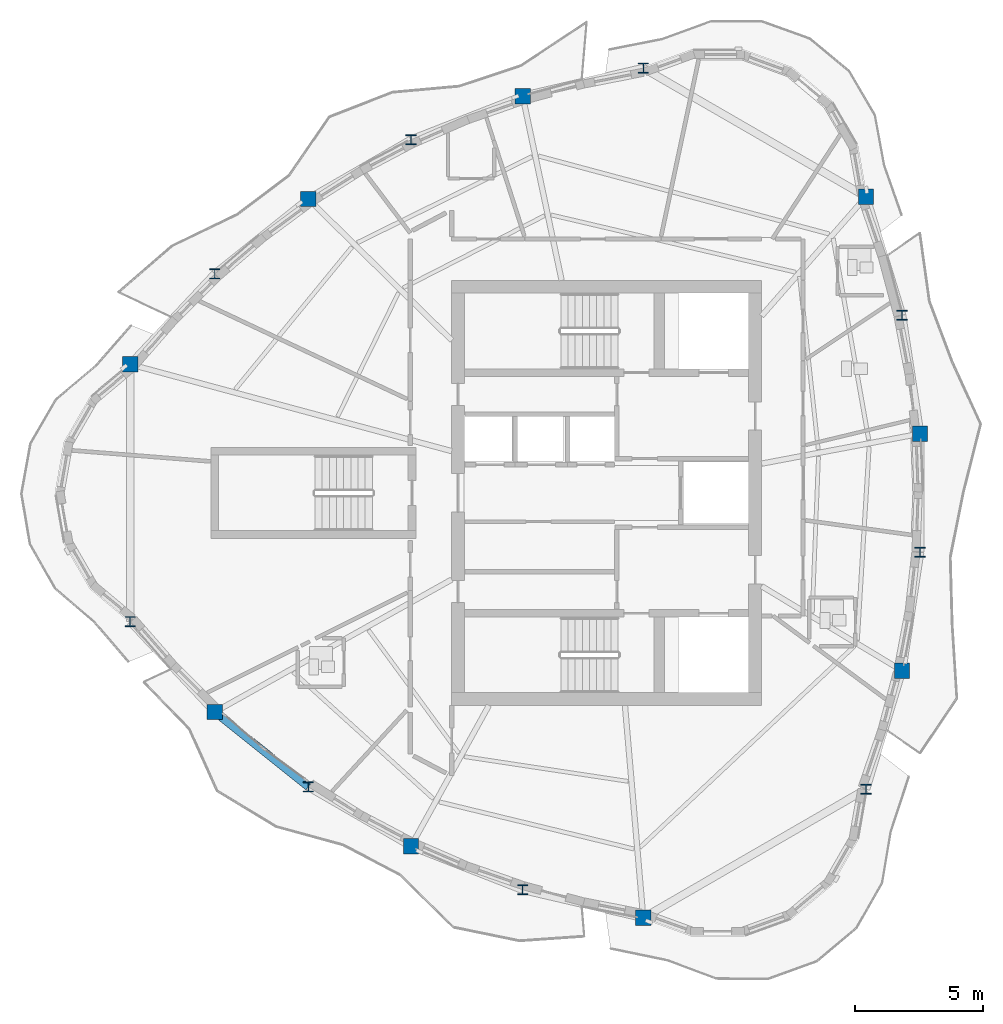
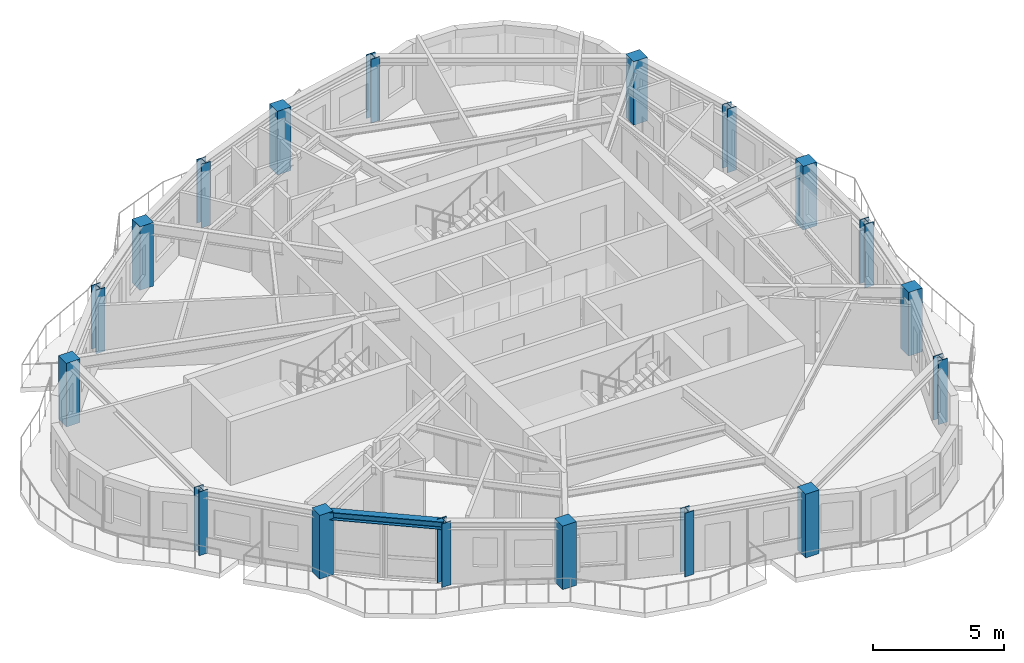
# One storey, part 1 of 13: 18 columns, 1 beam.
"""IFC4 building model written with IfcOpenShell, lengths in metres."""

import ifcopenshell
import ifcopenshell.guid

model = None  # the IFC model being written
_history = None  # IfcOwnerHistory: only IFC2X3 demands one
_inside = {}  # id of a spatial element -> (the spatial element, [elements in it])
_under = {}  # id of a project, library or spatial element -> (it, [spatial elements below it])
_declared = {}  # id of a project -> (the project, [libraries it declares])
_typed = {}  # id of a type object -> (the type object, [elements of that type])
_made_of = {}  # id of a material, layer set ... -> (it, [elements and type objects made of it])


def new_model(schema):
    """Start an empty IFC model of exactly this schema.

    Asked for "IFC4X3", IfcOpenShell would pick the latest addendum, in which some entities
    have other attributes; the version numbers below select the first issue.
    IFC2X3 requires an IfcOwnerHistory on every rooted entity: one is made here for all.
    """
    global model, _history
    if schema == "IFC4X3":
        model = ifcopenshell.file(schema_version=(4, 3, 0, 0))
    else:
        model = ifcopenshell.file(schema=schema)
    _inside.clear()
    _under.clear()
    _declared.clear()
    _typed.clear()
    _made_of.clear()
    _history = None
    if model.schema == "IFC2X3":
        org = make("IfcOrganization", Name="unknown")
        user = make(
            "IfcPersonAndOrganization",
            ThePerson=make("IfcPerson", FamilyName="unknown"),
            TheOrganization=org,
        )
        app = make(
            "IfcApplication",
            ApplicationDeveloper=org,
            Version="unknown",
            ApplicationFullName="unknown",
            ApplicationIdentifier="unknown",
        )
        _history = make(
            "IfcOwnerHistory",
            OwningUser=user,
            OwningApplication=app,
            ChangeAction="ADDED",
            CreationDate=0,
        )
    return model


def make(cls, **values):
    """One entity of the class cls with the attributes given. An attribute that is None is left unset."""
    return model.create_entity(
        cls, **{name: value for name, value in values.items() if value is not None}
    )


def rooted(cls, **values):
    """An entity with a GlobalId (a new one), such as an element, a storey or a relation."""
    return make(cls, GlobalId=ifcopenshell.guid.new(), OwnerHistory=_history, **values)


def si_unit(unit_type, name, prefix=None):
    """IfcSIUnit, for example si_unit("LENGTHUNIT", "METRE", prefix="MILLI")."""
    return make("IfcSIUnit", UnitType=unit_type, Prefix=prefix, Name=name)


def assignment(units):
    """IfcUnitAssignment: the units of a project."""
    return None if units is None else make("IfcUnitAssignment", Units=units)


def point(xyz):
    """IfcCartesianPoint."""
    return None if xyz is None else make("IfcCartesianPoint", Coordinates=xyz)


def direction(xyz):
    """IfcDirection."""
    return None if xyz is None else make("IfcDirection", DirectionRatios=xyz)


def frame(location, z_axis=None, x_axis=None):
    """IfcAxis2Placement3D, a coordinate frame: its origin and axes. An axis left out is left unset."""
    return make(
        "IfcAxis2Placement3D",
        Location=point(location),
        Axis=direction(z_axis),
        RefDirection=direction(x_axis),
    )


def frame_2d(location, x_axis=None):
    """IfcAxis2Placement2D, a coordinate frame in the plane: its origin and x axis."""
    return make(
        "IfcAxis2Placement2D", Location=point(location), RefDirection=direction(x_axis)
    )


def origin():
    """The frame at (0, 0, 0) with its axes left unset."""
    return frame((0.0, 0.0, 0.0))


def origin_2d():
    """The frame at (0, 0) in the plane with its x axis left unset."""
    return frame_2d((0.0, 0.0))


def place(relative_to, where):
    """IfcLocalPlacement: puts the frame where relative to a parent placement (None: the world)."""
    return make(
        "IfcLocalPlacement", PlacementRelTo=relative_to, RelativePlacement=where
    )


def context(
    kind, dimensions, precision=None, world=None, true_north=None, identifier=None
):
    """IfcGeometricRepresentationContext, for example the 3D "Model" context."""
    return make(
        "IfcGeometricRepresentationContext",
        ContextIdentifier=identifier,
        ContextType=kind,
        CoordinateSpaceDimension=dimensions,
        Precision=precision,
        WorldCoordinateSystem=world,
        TrueNorth=true_north,
    )


def subcontext(parent, identifier, kind, view, scale=None):
    """IfcGeometricRepresentationSubContext, for example "Body" below "Model"."""
    return make(
        "IfcGeometricRepresentationSubContext",
        ContextIdentifier=identifier,
        ContextType=kind,
        ParentContext=parent,
        TargetScale=scale,
        TargetView=view,
    )


def project(units=None, contexts=None):
    """IfcProject with its units and contexts."""
    return rooted(
        "IfcProject",
        Name="project",
        RepresentationContexts=contexts,
        UnitsInContext=assignment(units),
    )


def spatial(cls, under=None, at=None, **own):
    """A site, building, storey or space (cls), placed at a placement, below another one or the project."""
    s = rooted(cls, ObjectPlacement=at, **own)
    if under is not None:
        _under.setdefault(under.id(), (under, []))[1].append(s)
    return s


def profile(cls, at=None, kind="AREA", **sizes):
    """A parametric profile (cls). Its sizes go by their IFC names, for example OverallWidth=200.0."""
    return make(cls, ProfileType=kind, Position=at, **sizes)


def rectangle(**sizes):
    """IfcRectangleProfileDef."""
    return profile("IfcRectangleProfileDef", **sizes)


def i_section(**sizes):
    """IfcIShapeProfileDef."""
    return profile("IfcIShapeProfileDef", **sizes)


def extrude(swept, where, along, depth):
    """IfcExtrudedAreaSolid: the profile swept, set in the frame where, extruded along a direction by depth."""
    return make(
        "IfcExtrudedAreaSolid",
        SweptArea=swept,
        Position=where,
        ExtrudedDirection=direction(along),
        Depth=depth,
    )


def shape(context_of_items, identifier, shape_type, items):
    """IfcShapeRepresentation: the items that make up one representation, for example the "Body"."""
    return make(
        "IfcShapeRepresentation",
        ContextOfItems=context_of_items,
        RepresentationIdentifier=identifier,
        RepresentationType=shape_type,
        Items=items,
    )


def source(mapping_origin, context_of_items, identifier, shape_type, items):
    """IfcRepresentationMap: a shape defined once, which mapped items show again and again."""
    return make(
        "IfcRepresentationMap",
        MappingOrigin=mapping_origin,
        MappedRepresentation=shape(context_of_items, identifier, shape_type, items),
    )


def transform(
    local_origin,
    x_axis=None,
    y_axis=None,
    z_axis=None,
    scale=None,
    scale2=None,
    scale3=None,
    uniform=True,
):
    """IfcCartesianTransformationOperator3D, or its non-uniform kind. x_axis, y_axis, z_axis: its Axis1, 2, 3."""
    if uniform:
        return make(
            "IfcCartesianTransformationOperator3D",
            Axis1=direction(x_axis),
            Axis2=direction(y_axis),
            LocalOrigin=point(local_origin),
            Scale=scale,
            Axis3=direction(z_axis),
        )
    return make(
        "IfcCartesianTransformationOperator3DnonUniform",
        Axis1=direction(x_axis),
        Axis2=direction(y_axis),
        LocalOrigin=point(local_origin),
        Scale=scale,
        Axis3=direction(z_axis),
        Scale2=scale2,
        Scale3=scale3,
    )


def mapped(mapping_source, mapping_target):
    """IfcMappedItem: shows the shape of a source again, moved by a transform."""
    return make(
        "IfcMappedItem", MappingSource=mapping_source, MappingTarget=mapping_target
    )


def material(Name=None, Category=None):
    """IfcMaterial."""
    return make("IfcMaterial", Name=Name, Category=Category)


def material_profile(
    of_material, cross_section, Name=None, Category=None, Priority=None
):
    """IfcMaterialProfile: a cross section and its material."""
    return make(
        "IfcMaterialProfile",
        Name=Name,
        Material=of_material,
        Profile=cross_section,
        Priority=Priority,
        Category=Category,
    )


def profile_set(profiles, Name=None, composite=None):
    """IfcMaterialProfileSet."""
    return make(
        "IfcMaterialProfileSet",
        Name=Name,
        MaterialProfiles=profiles,
        CompositeProfile=composite,
    )


def made_of(thing, what):
    """Note that an element or type object is made of a material, layer set ...; save() writes the relation."""
    if what is not None:
        _made_of.setdefault(what.id(), (what, []))[1].append(thing)
    return thing


def type_object(cls, material=None, **own):
    """A type object (cls), such as IfcWallType, which elements share."""
    return made_of(rooted(cls, **own), material)


def element(
    cls,
    number,
    at=None,
    inside=None,
    cuts=None,
    type_object=None,
    material=None,
    context=None,
    identifier="Body",
    shape_type=None,
    held_by="IfcProductDefinitionShape",
    body=None,
    shapes=None,
    **own,
):
    """One element of the class cls, such as IfcWall. Its Tag is "e" and its number.

    at: its placement. inside: the storey or other place that contains it. cuts: it is an
    opening in that element (IfcRelVoidsElement). A single representation is given by context,
    identifier, shape_type and body (its items); several are given by shapes. held_by: the class
    of the entity that holds the representations. save() writes the other relations.
    """
    e = rooted(cls, Tag="e%d" % number, ObjectPlacement=at, **own)
    if body is not None:
        shapes = [shape(context, identifier, shape_type, body)]
    if shapes is not None:
        e.Representation = make(held_by, Representations=shapes)
    if inside is not None:
        _inside.setdefault(inside.id(), (inside, []))[1].append(e)
    if cuts is not None:
        rooted(
            "IfcRelVoidsElement", RelatingBuildingElement=cuts, RelatedOpeningElement=e
        )
    if type_object is not None:
        _typed.setdefault(type_object.id(), (type_object, []))[1].append(e)
    return made_of(e, material)


def aggregate(whole, parts):
    """IfcRelAggregates: a whole, such as a stair, and the parts it consists of."""
    return rooted("IfcRelAggregates", RelatingObject=whole, RelatedObjects=parts)


def save(model, path):
    """Write the relations noted so far, then the file.

    IfcRelAggregates (storeys below a building ...), IfcRelContainedInSpatialStructure (elements
    in a storey), IfcRelDefinesByType, IfcRelAssociatesMaterial and IfcRelDeclares: one each for
    every whole, place, type object, material and project.
    """
    for whole, parts in _under.values():
        aggregate(whole, parts)
    for where, things in _inside.values():
        rooted(
            "IfcRelContainedInSpatialStructure",
            RelatedElements=things,
            RelatingStructure=where,
        )
    for kind, things in _typed.values():
        rooted("IfcRelDefinesByType", RelatedObjects=things, RelatingType=kind)
    for what, things in _made_of.values():
        rooted("IfcRelAssociatesMaterial", RelatedObjects=things, RelatingMaterial=what)
    for by, libraries in _declared.values():
        rooted("IfcRelDeclares", RelatingContext=by, RelatedDefinitions=libraries)
    model.write(path)


model = new_model("IFC4")

# Units and contexts
model_context = context("Model", 3, precision=1e-05, world=origin(), true_north=direction((0.0, 1.0)))
body_context = subcontext(model_context, "Body", "Model", "MODEL_VIEW")
ifc_project = project(units=[si_unit("LENGTHUNIT", "METRE"), si_unit("AREAUNIT", "SQUARE_METRE"), si_unit("VOLUMEUNIT", "CUBIC_METRE"), si_unit("PLANEANGLEUNIT", "RADIAN"), si_unit("MASSUNIT", "GRAM", prefix="KILO")], contexts=[model_context])

# Site, building, storey
site_placement = place(None, origin())
site = spatial("IfcSite", under=ifc_project, at=site_placement, CompositionType="ELEMENT")
building_placement = place(site_placement, origin())
building = spatial("IfcBuilding", under=site, at=building_placement, Name="Qafzar Sky-Pleat Residences", CompositionType="ELEMENT")
storey_placement = place(building_placement, frame((0.0, 0.0, 195.60009765625)))
storey = spatial("IfcBuildingStorey", under=building, at=storey_placement, Name="L58", CompositionType="ELEMENT", Elevation=195.60009765625)

# Columns
ifc_material_1 = material(Name="Concrete C50/60", Category="concrete")
ifc_material_profile_1 = material_profile(ifc_material_1, rectangle(XDim=0.60009765625, YDim=0.60009765625, at=origin_2d()), Name="RC 600x600")
ifc_profile_set_1 = profile_set([ifc_material_profile_1], Name="Concrete C50/60")
column_type_1 = type_object("IfcColumnType", Name="COL-RC-600", PredefinedType="COLUMN", material=ifc_profile_set_1)
shared_shape_1 = source(origin(), body_context, "Body", "SweptSolid", [
    extrude(rectangle(XDim=0.60009765625, YDim=0.60009765625, at=origin_2d()), origin(), (0.0, 0.0, 1.0), 2.9599609375),
])
for number, where, z_axis, x_axis, name in (
    (1, (11.739990234375, 31.02294921875, 0.0), (0.0, 0.0, 1.0), (1.0, 0.0, 0.0), "L58 Perimeter Mega Column 1"),
    (2, (15.04443359375, 17.444580078125, 0.0), (0.0, 0.0, 1.0), (1.0, 0.0, 0.0), "L58 Perimeter Mega Column 3"),
    (3, (22.708740234375, 12.207275390625, 0.0), (0.0, 0.0, 1.0), (1.0, 0.0, 0.0), "L58 Perimeter Mega Column 5"),
    (4, (31.780029296875, 9.406982421875, 0.0), (0.0, 0.0, 1.0), (1.0, 0.0, 0.0), "L58 Perimeter Mega Column 7"),
    (5, (41.886962890625, 19.057861328125, 0.0), (0.0, 0.0, 1.0), (1.0, 0.0, 0.0), "L58 Perimeter Mega Column 9"),
    (6, (42.59033203125, 28.31396484375, 0.0), (0.0, 0.0, 1.0), (1.0, 0.0, 0.0), "L58 Perimeter Mega Column 11"),
    (7, (40.47998046875, 37.570068359375, 0.0), (0.0, 0.0, 1.0), (1.0, 0.0, 0.0), "L58 Perimeter Mega Column 13"),
    (8, (27.068603515625, 41.49755859375, 0.0), (0.0, 0.0, 1.0), (1.0, 0.0, 0.0), "L58 Perimeter Mega Column 15"),
    (9, (18.70068359375, 37.478515625, 0.0), (0.0, 0.0, 1.0), (1.0, 0.0, 0.0), "L58 Perimeter Mega Column 17"),
):
    element("IfcColumn", number, at=place(storey_placement, frame(where, z_axis=z_axis, x_axis=x_axis)), inside=storey, type_object=column_type_1, Name=name, PredefinedType="COLUMN", context=body_context, shape_type="MappedRepresentation", body=[
        mapped(shared_shape_1, transform((0.0, 0.0, 0.0), x_axis=(1.0, 0.0, 0.0), y_axis=(0.0, 1.0, 0.0), z_axis=(0.0, 0.0, 1.0), scale=1.0)),
    ])
ifc_material_2 = material(Name="Steel S355", Category="steel")
ifc_material_profile_2 = material_profile(ifc_material_2, i_section(OverallWidth=0.39794921875, OverallDepth=0.386962890625, WebThickness=0.01904296875, FlangeThickness=0.030029296875, FilletRadius=0.014892578125, at=origin_2d()), Name="HD 400x262")
ifc_profile_set_2 = profile_set([ifc_material_profile_2], Name="Steel S355")
column_type_2 = type_object("IfcColumnType", Name="COL-STL-HD262", PredefinedType="PILASTER", material=ifc_profile_set_2)
shared_shape_2 = source(origin(), body_context, "Body", "SweptSolid", [
    extrude(i_section(OverallWidth=0.39794921875, OverallDepth=0.386962890625, WebThickness=0.01904296875, FlangeThickness=0.030029296875, FilletRadius=0.014892578125, at=origin_2d()), origin(), (0.0, 0.0, 1.0), 2.9599609375),
])
for number, where, z_axis, x_axis, name in (
    (10, (11.739990234375, 20.97705078125, 0.0), (0.0, 0.0, 1.0), (1.0, 0.0, 0.0), "L58 Perimeter Mega Column 2"),
    (11, (18.70068359375, 14.521484375, 0.0), (0.0, 0.0, 1.0), (1.0, 0.0, 0.0), "L58 Perimeter Mega Column 4"),
    (12, (27.068603515625, 10.50244140625, 0.0), (0.0, 0.0, 1.0), (1.0, 0.0, 0.0), "L58 Perimeter Mega Column 6"),
    (13, (40.47998046875, 14.429931640625, 0.0), (0.0, 0.0, 1.0), (1.0, 0.0, 0.0), "L58 Perimeter Mega Column 8"),
    (14, (42.59033203125, 23.68603515625, 0.0), (0.0, 0.0, 1.0), (1.0, 0.0, 0.0), "L58 Perimeter Mega Column 10"),
    (15, (41.886962890625, 32.942138671875, 0.0), (0.0, 0.0, 1.0), (1.0, 0.0, 0.0), "L58 Perimeter Mega Column 12"),
    (16, (31.780029296875, 42.593017578125, 0.0), (0.0, 0.0, 1.0), (1.0, 0.0, 0.0), "L58 Perimeter Mega Column 14"),
    (17, (22.708740234375, 39.792724609375, 0.0), (0.0, 0.0, 1.0), (1.0, 0.0, 0.0), "L58 Perimeter Mega Column 16"),
    (18, (15.04443359375, 34.555419921875, 0.0), (0.0, 0.0, 1.0), (1.0, 0.0, 0.0), "L58 Perimeter Mega Column 18"),
):
    element("IfcColumn", number, at=place(storey_placement, frame(where, z_axis=z_axis, x_axis=x_axis)), inside=storey, type_object=column_type_2, Name=name, PredefinedType="PILASTER", context=body_context, shape_type="MappedRepresentation", body=[
        mapped(shared_shape_2, transform((0.0, 0.0, 0.0), x_axis=(1.0, 0.0, 0.0), y_axis=(0.0, 1.0, 0.0), z_axis=(0.0, 0.0, 1.0), scale=1.0)),
    ])

# Beam
ifc_material_profile_3 = material_profile(ifc_material_2, i_section(OverallWidth=0.300048828125, OverallDepth=0.360107421875, WebThickness=0.012451171875, FlangeThickness=0.0224609375, FilletRadius=0.027099609375, at=origin_2d()), Name="HEB 360")
ifc_profile_set_3 = profile_set([ifc_material_profile_3], Name="Steel S355")
beam_type = type_object("IfcBeamType", Name="BM-SPAN-HEB360", PredefinedType="SPANDREL", material=ifc_profile_set_3)
shared_shape_3 = source(origin(), body_context, "Body", "SweptSolid", [
    extrude(i_section(OverallWidth=0.300048828125, OverallDepth=0.360107421875, WebThickness=0.012451171875, FlangeThickness=0.0224609375, FilletRadius=0.027099609375, at=origin_2d()), origin(), (0.0, 0.0, 1.0), 4.68115234375),
])
beam_placement = place(storey_placement, frame((15.04443359375, 17.444580078125, 2.77783203125), z_axis=(0.781067211918, -0.624446963695, 0.0), x_axis=(0.624446963695, 0.781067211918, 0.0)))
element("IfcBeam", 19, at=beam_placement, inside=storey, type_object=beam_type, Name="L58 Perimeter Spandrel Beam 3", PredefinedType="SPANDREL", context=body_context, shape_type="MappedRepresentation", body=[
    mapped(shared_shape_3, transform((0.0, 0.0, 0.0), x_axis=(1.0, 0.0, 0.0), y_axis=(0.0, 1.0, 0.0), z_axis=(0.0, 0.0, 1.0), scale=1.0)),
])

save(model, "model.ifc")
